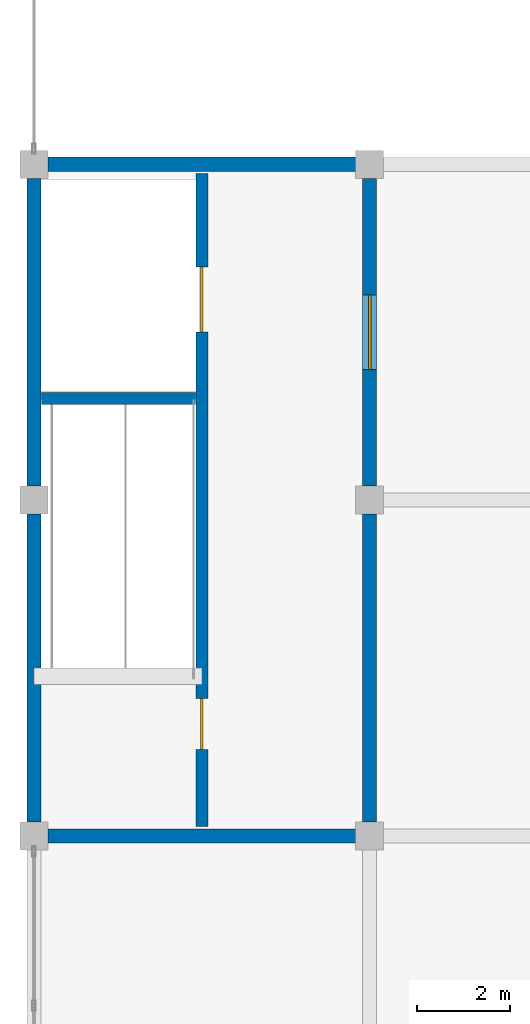
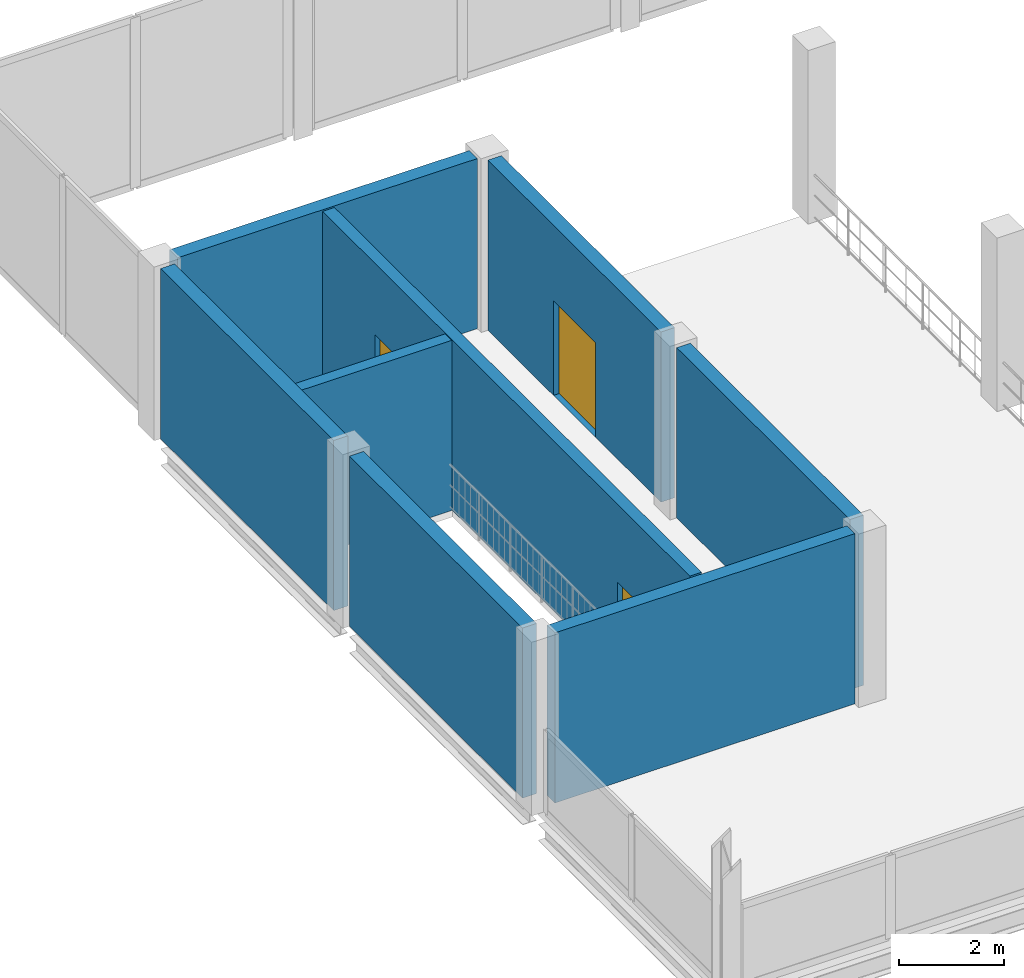
# One storey, part 37 of 51: 8 walls, 3 doors, 3 openings.
"""IFC4 building model written with IfcOpenShell, lengths in metres."""

from ifc_helpers import new_model, si_unit, direction, frame, frame_2d, origin, place, context, subcontext, project, spatial, rectangle, extrude, material, layer, layer_set, type_object, element, fill, save


model = new_model("IFC4")

# Units and contexts
model_context = context("Model", 3, precision=1e-05, world=origin(), true_north=direction((0.0, 1.0)))
body_context = subcontext(model_context, "Body", "Model", "MODEL_VIEW")
ifc_project = project(units=[si_unit("LENGTHUNIT", "METRE"), si_unit("AREAUNIT", "SQUARE_METRE"), si_unit("VOLUMEUNIT", "CUBIC_METRE"), si_unit("PLANEANGLEUNIT", "RADIAN"), si_unit("MASSUNIT", "GRAM", prefix="KILO")], contexts=[model_context])

# Site, building, storey
site_placement = place(None, origin())
site = spatial("IfcSite", under=ifc_project, at=site_placement, CompositionType="ELEMENT")
building_placement = place(site_placement, origin())
building = spatial("IfcBuilding", under=site, at=building_placement, Name="Vesperath Aquatics Centre", CompositionType="ELEMENT")
storey_placement = place(building_placement, frame((0.0, 0.0, 15.0)))
storey = spatial("IfcBuildingStorey", under=building, at=storey_placement, Name="L03", CompositionType="ELEMENT", Elevation=15.0)

# Walls
ifc_material_1 = material(Name="Concrete C40", Category="concrete")
ifc_layer_1 = layer(ifc_material_1, 0.300048828125)
ifc_layer_set_1 = layer_set([ifc_layer_1], Name="Concrete C40")
wall_type_1 = type_object("IfcWallType", Name="WL-SW01", PredefinedType="SHEAR", material=ifc_layer_set_1)
for number, where, z_axis, x_axis, name in (
    (1, (7.5, 93.60009765625, 0.0), (0.0, 0.0, 1.0), (1.0, 0.0, 0.0), "Core C3 South Shear Wall SW01 L03"),
    (2, (14.39990234375, 93.89990234375, 0.0), (0.0, 0.0, 1.0), (0.0, 1.0, 0.0), "Core C3 East-1 Shear Wall SW01 L03"),
):
    element("IfcWall", number, at=place(storey_placement, frame(where, z_axis=z_axis, x_axis=x_axis)), inside=storey, type_object=wall_type_1, Name=name, PredefinedType="SHEAR", context=body_context, shape_type="SweptSolid", body=[
        extrude(rectangle(XDim=6.60009765625, YDim=0.300048828125, at=frame_2d((3.300048828125, 0.0))), origin(), (0.0, 0.0, 1.0), 3.9599609375),
    ])

# Wall, opening, door
wall_1_placement = place(storey_placement, frame((14.39990234375, 101.10009765625, 0.0), z_axis=(0.0, 0.0, 1.0), x_axis=(0.0, 1.0, 0.0)))
wall_1 = element("IfcWall", 3, at=wall_1_placement, inside=storey, type_object=wall_type_1, Name="Core C3 East-2 Shear Wall SW01 L03", PredefinedType="SHEAR", context=body_context, shape_type="SweptSolid", body=[
    extrude(rectangle(XDim=6.599853515625, YDim=0.300048828125, at=frame_2d((3.2998046875, 0.0))), origin(), (0.0, 0.0, 1.0), 3.9599609375),
])
opening_1_placement = place(wall_1_placement, frame((2.5, 0.0, 0.0)))
opening_1 = element("IfcOpeningElement", 4, at=opening_1_placement, cuts=wall_1, Name="Opening D02", PredefinedType="OPENING", context=body_context, shape_type="SweptSolid", body=[
    extrude(rectangle(XDim=1.60009765625, YDim=2.199951171875, at=frame_2d((0.800048828125, 1.10009765625))), frame((0.0, 0.1650390625, 0.0), z_axis=(0.0, -1.0, 0.0), x_axis=(1.0, 0.0, 0.0)), (0.0, 0.0, 1.0), 0.329833984375),
])
ifc_material_2 = material(Name="Glazed fire-rated lobby double door", Category="steel")
door_type_1 = type_object("IfcDoorType", Name="DR-FD02", OperationType="DOUBLE_SWING_LEFT", PredefinedType="DOOR", material=ifc_material_2)
door_1_placement = place(opening_1_placement, frame((1.60009765625, 0.0, 0.0), z_axis=(0.0, 0.0, 1.0), x_axis=(-1.0, 0.0, 0.0)))
door_1 = element("IfcDoor", 5, at=door_1_placement, inside=storey, type_object=door_type_1, Name="Core C3 Lobby Fire Door D02 L03", OperationType="DOUBLE_SWING_LEFT", OverallHeight=2.199951171875, OverallWidth=1.60009765625, PredefinedType="DOOR", context=body_context, shape_type="SweptSolid", body=[
    extrude(rectangle(XDim=1.60009765625, YDim=2.199951171875, at=frame_2d((0.800048828125, 1.10009765625))), frame((0.0, 0.02490234375, 0.0), z_axis=(0.0, -1.0, 0.0), x_axis=(1.0, 0.0, 0.0)), (0.0, 0.0, 1.0), 0.050048828125),
])
fill(opening_1, door_1)

# Wall, openings, doors
ifc_layer_2 = layer(ifc_material_1, 0.260009765625)
ifc_layer_set_2 = layer_set([ifc_layer_2], Name="Concrete C40")
wall_type_2 = type_object("IfcWallType", Name="WL-SW03", PredefinedType="SHEAR", material=ifc_layer_set_2)
wall_2_placement = place(storey_placement, frame((10.800048828125, 93.800048828125, 0.0), z_axis=(0.0, 0.0, 1.0), x_axis=(0.0, 1.0, 0.0)))
wall_2 = element("IfcWall", 6, at=wall_2_placement, inside=storey, type_object=wall_type_2, Name="Core C3 Spine Shear Wall SW03 L03", PredefinedType="SHEAR", context=body_context, shape_type="SweptSolid", body=[
    extrude(rectangle(XDim=14.0, YDim=0.260009765625, at=frame_2d((7.0, 0.0))), origin(), (0.0, 0.0, 1.0), 3.9599609375),
])
opening_2_placement = place(wall_2_placement, frame((1.64990234375, 0.0, 0.0)))
opening_2 = element("IfcOpeningElement", 7, at=opening_2_placement, cuts=wall_2, Name="Opening D01", PredefinedType="OPENING", context=body_context, shape_type="SweptSolid", body=[
    extrude(rectangle(XDim=1.10009765625, YDim=2.14990234375, at=frame_2d((0.550048828125, 1.074951171875))), frame((0.0, 0.14501953125, 0.0), z_axis=(0.0, -1.0, 0.0), x_axis=(1.0, 0.0, 0.0)), (0.0, 0.0, 1.0), 0.289794921875),
])
opening_3_placement = place(wall_2_placement, frame((10.60009765625, 0.0, 0.0)))
opening_3 = element("IfcOpeningElement", 8, at=opening_3_placement, cuts=wall_2, Name="Opening LD04", PredefinedType="OPENING", context=body_context, shape_type="SweptSolid", body=[
    extrude(rectangle(XDim=1.39990234375, YDim=2.300048828125, at=frame_2d((0.699951171875, 1.14990234375))), frame((0.0, 0.14501953125, 0.0), z_axis=(0.0, -1.0, 0.0), x_axis=(1.0, 0.0, 0.0)), (0.0, 0.0, 1.0), 0.289794921875),
])
ifc_material_3 = material(Name="Steel-faced acoustic fire door", Category="steel")
door_type_2 = type_object("IfcDoorType", Name="DR-FD01", OperationType="NOTDEFINED", PredefinedType="DOOR", material=ifc_material_3)
door_2_placement = place(opening_2_placement, origin())
door_2 = element("IfcDoor", 9, at=door_2_placement, inside=storey, type_object=door_type_2, Name="Stair ST3 Fire Door D01 L03", OperationType="SINGLE_SWING_RIGHT", OverallHeight=2.14990234375, OverallWidth=1.10009765625, PredefinedType="DOOR", context=body_context, shape_type="SweptSolid", body=[
    extrude(rectangle(XDim=1.10009765625, YDim=2.14990234375, at=frame_2d((0.550048828125, 1.074951171875))), frame((0.0, 0.02490234375, 0.0), z_axis=(0.0, -1.0, 0.0), x_axis=(1.0, 0.0, 0.0)), (0.0, 0.0, 1.0), 0.050048828125),
])
fill(opening_2, door_2)
ifc_material_4 = material(Name="Goods stainless lift landing door", Category="steel")
door_type_3 = type_object("IfcDoorType", Name="DR-LD04", OperationType="SLIDING_TO_RIGHT", PredefinedType="DOOR", material=ifc_material_4)
door_3_placement = place(opening_3_placement, frame((1.39990234375, 0.0, 0.0), z_axis=(0.0, 0.0, 1.0), x_axis=(-1.0, 0.0, 0.0)))
door_3 = element("IfcDoor", 10, at=door_3_placement, inside=storey, type_object=door_type_3, Name="Lift LFT-G1 Sliding Landing Door LD04 L03", OperationType="SLIDING_TO_RIGHT", OverallHeight=2.300048828125, OverallWidth=1.39990234375, PredefinedType="DOOR", context=body_context, shape_type="SweptSolid", body=[
    extrude(rectangle(XDim=1.39990234375, YDim=2.300048828125, at=frame_2d((0.699951171875, 1.14990234375))), frame((0.0, 0.02490234375, 0.0), z_axis=(0.0, -1.0, 0.0), x_axis=(1.0, 0.0, 0.0)), (0.0, 0.0, 1.0), 0.050048828125),
])
fill(opening_3, door_3)

# Walls
ifc_layer_3 = layer(ifc_material_1, 0.25)
ifc_layer_set_3 = layer_set([ifc_layer_3], Name="Concrete C40")
wall_type_3 = type_object("IfcWallType", Name="WL-SW04", PredefinedType="SHEAR", material=ifc_layer_set_3)
wall_3_placement = place(storey_placement, frame((7.360107421875, 102.97998046875, 0.0), z_axis=(0.0, 0.0, 1.0), x_axis=(1.0, 0.0, 0.0)))
element("IfcWall", 11, at=wall_3_placement, inside=storey, type_object=wall_type_3, Name="Core C3 Lift Shaft Wall SW04 L03", PredefinedType="SHEAR", context=body_context, shape_type="SweptSolid", body=[
    extrude(rectangle(XDim=3.2998046875, YDim=0.25, at=frame_2d((1.64990234375, 0.0))), origin(), (0.0, 0.0, 1.0), 3.9599609375),
])
ifc_layer_4 = layer(ifc_material_1, 0.31005859375)
ifc_layer_set_4 = layer_set([ifc_layer_4], Name="Concrete C40")
wall_type_4 = type_object("IfcWallType", Name="WL-SW05", PredefinedType="SHEAR", material=ifc_layer_set_4)
for number, where, z_axis, x_axis, name in (
    (12, (7.5, 108.0, 0.0), (0.0, 0.0, 1.0), (1.0, 0.0, 0.0), "Core C3 North Shear Wall SW05 L03"),
    (13, (7.199951171875, 93.89990234375, 0.0), (0.0, 0.0, 1.0), (0.0, 1.0, 0.0), "Core C3 West-1 Shear Wall SW05 L03"),
):
    element("IfcWall", number, at=place(storey_placement, frame(where, z_axis=z_axis, x_axis=x_axis)), inside=storey, type_object=wall_type_4, Name=name, PredefinedType="SHEAR", context=body_context, shape_type="SweptSolid", body=[
        extrude(rectangle(XDim=6.60009765625, YDim=0.31005859375, at=frame_2d((3.300048828125, 0.0))), origin(), (0.0, 0.0, 1.0), 3.9599609375),
    ])
wall_4_placement = place(storey_placement, frame((7.199951171875, 101.10009765625, 0.0), z_axis=(0.0, 0.0, 1.0), x_axis=(0.0, 1.0, 0.0)))
element("IfcWall", 14, at=wall_4_placement, inside=storey, type_object=wall_type_4, Name="Core C3 West-2 Shear Wall SW05 L03", PredefinedType="SHEAR", context=body_context, shape_type="SweptSolid", body=[
    extrude(rectangle(XDim=6.599853515625, YDim=0.31005859375, at=frame_2d((3.2998046875, 0.0))), origin(), (0.0, 0.0, 1.0), 3.9599609375),
])

save(model, "model.ifc")
